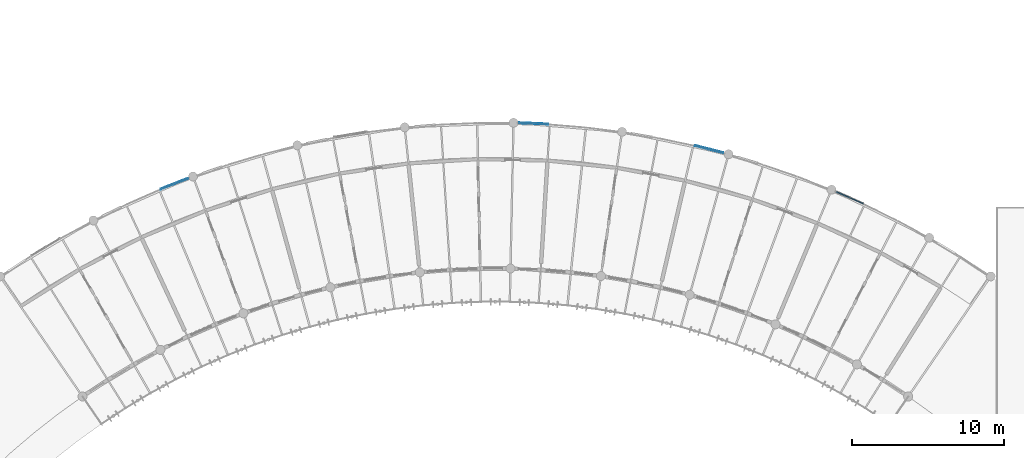
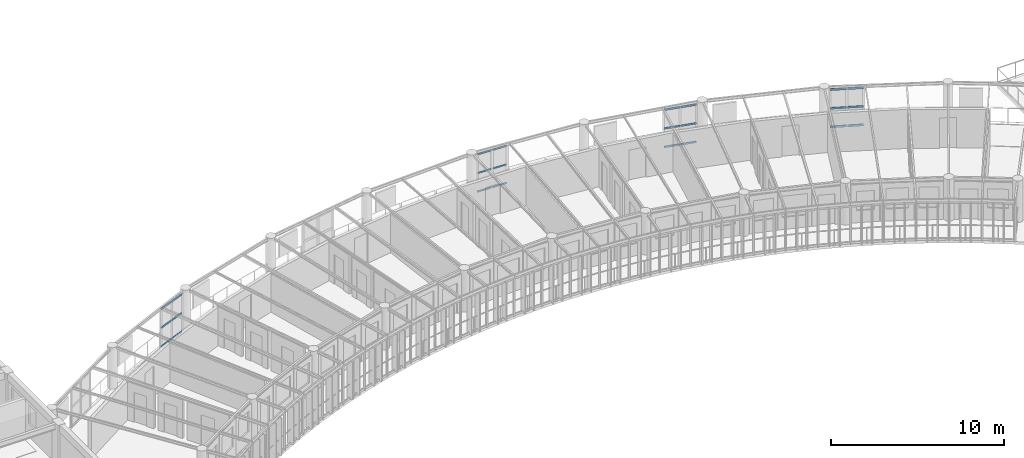
# One storey, part 43 of 101: 24 members, 4 elements without a shape of their own.
"""IFC4 building model written with IfcOpenShell, lengths in metres."""

from ifc_helpers import new_model, si_unit, direction, frame, origin, origin_2d, place, context, subcontext, project, spatial, rectangle, extrude, material, layer, layer_set, material_profile, profile_set, type_object, element, aggregate, save


model = new_model("IFC4")

# Units and contexts
model_context = context("Model", 3, precision=1e-05, world=origin(), true_north=direction((0.0, 1.0)))
body_context = subcontext(model_context, "Body", "Model", "MODEL_VIEW")
ifc_project = project(units=[si_unit("LENGTHUNIT", "METRE"), si_unit("AREAUNIT", "SQUARE_METRE"), si_unit("VOLUMEUNIT", "CUBIC_METRE"), si_unit("PLANEANGLEUNIT", "RADIAN"), si_unit("MASSUNIT", "GRAM", prefix="KILO"), si_unit("POWERUNIT", "WATT"), si_unit("THERMODYNAMICTEMPERATUREUNIT", "KELVIN")], contexts=[model_context])

# Site, building, storey
site_placement = place(None, origin())
site = spatial("IfcSite", under=ifc_project, at=site_placement, CompositionType="ELEMENT")
building_placement = place(site_placement, origin())
building = spatial("IfcBuilding", under=site, at=building_placement, Name="Ruvembo Vaulted Housing Court", CompositionType="ELEMENT")
storey_placement = place(building_placement, frame((0.0, 0.0, 17.300048828125)))
storey = spatial("IfcBuildingStorey", under=building, at=storey_placement, Name="L05", CompositionType="ELEMENT", Elevation=17.300048828125)

# Curtain wall, members
ifc_material_1 = material(Name="Anodised Aluminium and Solar-Control Glass", Category="aluminium")
ifc_layer_1 = layer(ifc_material_1, 0.1201171875, Name="Anodised Aluminium and Solar-Control Glass")
ifc_layer_set_1 = layer_set([ifc_layer_1], Name="Anodised Aluminium and Solar-Control Glass")
curtain_wall_type_1 = type_object("IfcCurtainWallType", Name="CW-SCOOP-GAL", PredefinedType="NOTDEFINED", material=ifc_layer_set_1)
curtain_wall_1_placement = place(storey_placement, origin())
curtain_wall_1 = element("IfcCurtainWall", 1, at=curtain_wall_1_placement, inside=storey, type_object=curtain_wall_type_1, Name="L05 Curtain Wall CW-L05-0084", PredefinedType="NOTDEFINED")
ifc_material_2 = material(Name="Anodised Aluminium 6063-T6", Category="aluminium")
ifc_material_profile_1 = material_profile(ifc_material_2, rectangle(XDim=0.06005859375, YDim=0.1201171875, at=origin_2d()), Name="ALU 60x120")
ifc_profile_set_1 = profile_set([ifc_material_profile_1], Name="Anodised Aluminium 6063-T6")
member_type_1 = type_object("IfcMemberType", Name="CW-TRANSOM-65x120", PredefinedType="USERDEFINED", material=ifc_profile_set_1)
member_1_placement = place(storey_placement, frame((94.97216796875, 103.218994140625, 0.030029296875), z_axis=(0.93100642129, 0.365002799328, 0.0), x_axis=(-0.365002799328, 0.93100642129, 0.0)))
member_1 = element("IfcMember", 2, at=member_1_placement, type_object=member_type_1, Name="CW6 transom 1.1", ObjectType="TRANSOM", PredefinedType="USERDEFINED", context=body_context, shape_type="SweptSolid", body=[
    extrude(rectangle(XDim=0.06005859375, YDim=0.1201171875, at=origin_2d()), origin(), (0.0, 0.0, 1.0), 0.930419921875),
])
member_2_placement = place(storey_placement, frame((94.97216796875, 103.218994140625, 1.344970703125), z_axis=(0.93100642129, 0.365002799328, 0.0), x_axis=(-0.365002799328, 0.93100642129, 0.0)))
member_2 = element("IfcMember", 3, at=member_2_placement, type_object=member_type_1, Name="CW6 transom 1.2", ObjectType="TRANSOM", PredefinedType="USERDEFINED", context=body_context, shape_type="SweptSolid", body=[
    extrude(rectangle(XDim=0.06005859375, YDim=0.1201171875, at=origin_2d()), origin(), (0.0, 0.0, 1.0), 0.930419921875),
])
member_3_placement = place(storey_placement, frame((94.97216796875, 103.218994140625, 2.659912109375), z_axis=(0.93100642129, 0.365002799328, 0.0), x_axis=(-0.365002799328, 0.93100642129, 0.0)))
member_3 = element("IfcMember", 4, at=member_3_placement, type_object=member_type_1, Name="CW6 transom 1.3", ObjectType="TRANSOM", PredefinedType="USERDEFINED", context=body_context, shape_type="SweptSolid", body=[
    extrude(rectangle(XDim=0.06005859375, YDim=0.1201171875, at=origin_2d()), origin(), (0.0, 0.0, 1.0), 0.930419921875),
])
member_4_placement = place(storey_placement, frame((95.89404296875, 103.58056640625, 0.030029296875), z_axis=(0.93100642129, 0.365002799328, 0.0), x_axis=(-0.365002799328, 0.93100642129, 0.0)))
member_4 = element("IfcMember", 5, at=member_4_placement, type_object=member_type_1, Name="CW6 transom 2.1", ObjectType="TRANSOM", PredefinedType="USERDEFINED", context=body_context, shape_type="SweptSolid", body=[
    extrude(rectangle(XDim=0.06005859375, YDim=0.1201171875, at=origin_2d()), origin(), (0.0, 0.0, 1.0), 0.930419921875),
])
member_5_placement = place(storey_placement, frame((95.89404296875, 103.58056640625, 1.344970703125), z_axis=(0.93100642129, 0.365002799328, 0.0), x_axis=(-0.365002799328, 0.93100642129, 0.0)))
member_5 = element("IfcMember", 6, at=member_5_placement, type_object=member_type_1, Name="CW6 transom 2.2", ObjectType="TRANSOM", PredefinedType="USERDEFINED", context=body_context, shape_type="SweptSolid", body=[
    extrude(rectangle(XDim=0.06005859375, YDim=0.1201171875, at=origin_2d()), origin(), (0.0, 0.0, 1.0), 0.930419921875),
])
member_6_placement = place(storey_placement, frame((95.89404296875, 103.58056640625, 2.659912109375), z_axis=(0.93100642129, 0.365002799328, 0.0), x_axis=(-0.365002799328, 0.93100642129, 0.0)))
member_6 = element("IfcMember", 7, at=member_6_placement, type_object=member_type_1, Name="CW6 transom 2.3", ObjectType="TRANSOM", PredefinedType="USERDEFINED", context=body_context, shape_type="SweptSolid", body=[
    extrude(rectangle(XDim=0.06005859375, YDim=0.1201171875, at=origin_2d()), origin(), (0.0, 0.0, 1.0), 0.930419921875),
])
aggregate(curtain_wall_1, [member_1, member_2, member_3, member_4, member_5, member_6])

ifc_layer_2 = layer(ifc_material_1, 0.139892578125, Name="Anodised Aluminium and Solar-Control Glass")
ifc_layer_set_2 = layer_set([ifc_layer_2], Name="Anodised Aluminium and Solar-Control Glass")
curtain_wall_type_2 = type_object("IfcCurtainWallType", Name="CW-SCOOP-PAN", PredefinedType="NOTDEFINED", material=ifc_layer_set_2)
curtain_wall_2_placement = place(storey_placement, origin())
curtain_wall_2 = element("IfcCurtainWall", 8, at=curtain_wall_2_placement, inside=storey, type_object=curtain_wall_type_2, Name="L05 Curtain Wall CW-L05-0087", PredefinedType="NOTDEFINED")
member_7_placement = place(storey_placement, frame((130.138427734375, 106.079345703125, 0.030029296875), z_axis=(0.969139023135, -0.246514814641, 0.0), x_axis=(0.246514814641, 0.969139023135, 0.0)))
member_7 = element("IfcMember", 9, at=member_7_placement, type_object=member_type_1, Name="CW10 transom 1.1", ObjectType="TRANSOM", PredefinedType="USERDEFINED", context=body_context, shape_type="SweptSolid", body=[
    extrude(rectangle(XDim=0.06005859375, YDim=0.1201171875, at=origin_2d()), origin(), (0.0, 0.0, 1.0), 0.93798828125),
])
member_8_placement = place(storey_placement, frame((130.138427734375, 106.079345703125, 1.344970703125), z_axis=(0.969139023135, -0.246514814641, 0.0), x_axis=(0.246514814641, 0.969139023135, 0.0)))
member_8 = element("IfcMember", 10, at=member_8_placement, type_object=member_type_1, Name="CW10 transom 1.2", ObjectType="TRANSOM", PredefinedType="USERDEFINED", context=body_context, shape_type="SweptSolid", body=[
    extrude(rectangle(XDim=0.06005859375, YDim=0.1201171875, at=origin_2d()), origin(), (0.0, 0.0, 1.0), 0.93798828125),
])
member_9_placement = place(storey_placement, frame((130.138427734375, 106.079345703125, 2.659912109375), z_axis=(0.969139023135, -0.246514814641, 0.0), x_axis=(0.246514814641, 0.969139023135, 0.0)))
member_9 = element("IfcMember", 11, at=member_9_placement, type_object=member_type_1, Name="CW10 transom 1.3", ObjectType="TRANSOM", PredefinedType="USERDEFINED", context=body_context, shape_type="SweptSolid", body=[
    extrude(rectangle(XDim=0.06005859375, YDim=0.1201171875, at=origin_2d()), origin(), (0.0, 0.0, 1.0), 0.93798828125),
])
member_10_placement = place(storey_placement, frame((131.1005859375, 105.834716796875, 0.030029296875), z_axis=(0.969154836153, -0.246452639591, 0.0), x_axis=(0.246452639591, 0.969154836153, 0.0)))
member_10 = element("IfcMember", 12, at=member_10_placement, type_object=member_type_1, Name="CW10 transom 2.1", ObjectType="TRANSOM", PredefinedType="USERDEFINED", context=body_context, shape_type="SweptSolid", body=[
    extrude(rectangle(XDim=0.06005859375, YDim=0.1201171875, at=origin_2d()), origin(), (0.0, 0.0, 1.0), 0.938232421875),
])
member_11_placement = place(storey_placement, frame((131.1005859375, 105.834716796875, 1.344970703125), z_axis=(0.969154836153, -0.246452639591, 0.0), x_axis=(0.246452639591, 0.969154836153, 0.0)))
member_11 = element("IfcMember", 13, at=member_11_placement, type_object=member_type_1, Name="CW10 transom 2.2", ObjectType="TRANSOM", PredefinedType="USERDEFINED", context=body_context, shape_type="SweptSolid", body=[
    extrude(rectangle(XDim=0.06005859375, YDim=0.1201171875, at=origin_2d()), origin(), (0.0, 0.0, 1.0), 0.938232421875),
])
member_12_placement = place(storey_placement, frame((131.1005859375, 105.834716796875, 2.659912109375), z_axis=(0.969154836153, -0.246452639591, 0.0), x_axis=(0.246452639591, 0.969154836153, 0.0)))
member_12 = element("IfcMember", 14, at=member_12_placement, type_object=member_type_1, Name="CW10 transom 2.3", ObjectType="TRANSOM", PredefinedType="USERDEFINED", context=body_context, shape_type="SweptSolid", body=[
    extrude(rectangle(XDim=0.06005859375, YDim=0.1201171875, at=origin_2d()), origin(), (0.0, 0.0, 1.0), 0.938232421875),
])
aggregate(curtain_wall_2, [member_7, member_8, member_9, member_10, member_11, member_12])

curtain_wall_3_placement = place(storey_placement, origin())
curtain_wall_3 = element("IfcCurtainWall", 15, at=curtain_wall_3_placement, inside=storey, type_object=curtain_wall_type_1, Name="L05 Curtain Wall CW-L05-0086", PredefinedType="NOTDEFINED")
ifc_material_profile_2 = material_profile(ifc_material_2, rectangle(XDim=0.06005859375, YDim=0.10009765625, at=origin_2d()), Name="ALU 60x100")
ifc_profile_set_2 = profile_set([ifc_material_profile_2], Name="Anodised Aluminium 6063-T6")
member_type_2 = type_object("IfcMemberType", Name="CW-TRN-60x100", PredefinedType="USERDEFINED", material=ifc_profile_set_2)
member_13_placement = place(storey_placement, frame((118.56005859375, 107.572509765625, 0.030029296875), z_axis=(0.999137194333, -0.041531516947, 0.0), x_axis=(0.041531516947, 0.999137194333, 0.0)))
member_13 = element("IfcMember", 16, at=member_13_placement, type_object=member_type_2, Name="CW6 transom 1.1", ObjectType="TRANSOM", PredefinedType="USERDEFINED", context=body_context, shape_type="SweptSolid", body=[
    extrude(rectangle(XDim=0.06005859375, YDim=0.10009765625, at=origin_2d()), origin(), (0.0, 0.0, 1.0), 0.9228515625),
])
member_14_placement = place(storey_placement, frame((118.56005859375, 107.572509765625, 1.344970703125), z_axis=(0.999137194333, -0.041531516947, 0.0), x_axis=(0.041531516947, 0.999137194333, 0.0)))
member_14 = element("IfcMember", 17, at=member_14_placement, type_object=member_type_2, Name="CW6 transom 1.2", ObjectType="TRANSOM", PredefinedType="USERDEFINED", context=body_context, shape_type="SweptSolid", body=[
    extrude(rectangle(XDim=0.06005859375, YDim=0.10009765625, at=origin_2d()), origin(), (0.0, 0.0, 1.0), 0.9228515625),
])
member_15_placement = place(storey_placement, frame((118.56005859375, 107.572509765625, 2.659912109375), z_axis=(0.999137194333, -0.041531516947, 0.0), x_axis=(0.041531516947, 0.999137194333, 0.0)))
member_15 = element("IfcMember", 18, at=member_15_placement, type_object=member_type_2, Name="CW6 transom 1.3", ObjectType="TRANSOM", PredefinedType="USERDEFINED", context=body_context, shape_type="SweptSolid", body=[
    extrude(rectangle(XDim=0.06005859375, YDim=0.10009765625, at=origin_2d()), origin(), (0.0, 0.0, 1.0), 0.9228515625),
])
member_16_placement = place(storey_placement, frame((119.547119140625, 107.531494140625, 0.030029296875), z_axis=(0.999137194333, -0.041531516947, 0.0), x_axis=(0.041531516947, 0.999137194333, 0.0)))
member_16 = element("IfcMember", 19, at=member_16_placement, type_object=member_type_2, Name="CW6 transom 2.1", ObjectType="TRANSOM", PredefinedType="USERDEFINED", context=body_context, shape_type="SweptSolid", body=[
    extrude(rectangle(XDim=0.06005859375, YDim=0.10009765625, at=origin_2d()), origin(), (0.0, 0.0, 1.0), 0.9228515625),
])
member_17_placement = place(storey_placement, frame((119.547119140625, 107.531494140625, 1.344970703125), z_axis=(0.999137194333, -0.041531516947, 0.0), x_axis=(0.041531516947, 0.999137194333, 0.0)))
member_17 = element("IfcMember", 20, at=member_17_placement, type_object=member_type_2, Name="CW6 transom 2.2", ObjectType="TRANSOM", PredefinedType="USERDEFINED", context=body_context, shape_type="SweptSolid", body=[
    extrude(rectangle(XDim=0.06005859375, YDim=0.10009765625, at=origin_2d()), origin(), (0.0, 0.0, 1.0), 0.9228515625),
])
member_18_placement = place(storey_placement, frame((119.547119140625, 107.531494140625, 2.659912109375), z_axis=(0.999137194333, -0.041531516947, 0.0), x_axis=(0.041531516947, 0.999137194333, 0.0)))
member_18 = element("IfcMember", 21, at=member_18_placement, type_object=member_type_2, Name="CW6 transom 2.3", ObjectType="TRANSOM", PredefinedType="USERDEFINED", context=body_context, shape_type="SweptSolid", body=[
    extrude(rectangle(XDim=0.06005859375, YDim=0.10009765625, at=origin_2d()), origin(), (0.0, 0.0, 1.0), 0.9228515625),
])
aggregate(curtain_wall_3, [member_13, member_14, member_15, member_16, member_17, member_18])

curtain_wall_4_placement = place(storey_placement, origin())
curtain_wall_4 = element("IfcCurtainWall", 22, at=curtain_wall_4_placement, inside=storey, type_object=curtain_wall_type_2, Name="L05 Curtain Wall CW-L05-0088", PredefinedType="NOTDEFINED")
ifc_material_profile_3 = material_profile(ifc_material_2, rectangle(XDim=0.06494140625, YDim=0.135009765625, at=origin_2d()), Name="ALU 65x135")
ifc_profile_set_3 = profile_set([ifc_material_profile_3], Name="Anodised Aluminium 6063-T6")
member_type_3 = type_object("IfcMemberType", Name="CW-TRN-65x135", PredefinedType="USERDEFINED", material=ifc_profile_set_3)
member_19_placement = place(storey_placement, frame((139.459716796875, 103.03369140625, 0.032470703125), z_axis=(0.915191183888, -0.403019970887, 0.0), x_axis=(0.403019970887, 0.915191183888, 0.0)))
member_19 = element("IfcMember", 23, at=member_19_placement, type_object=member_type_3, Name="CW10 transom 1.1", ObjectType="TRANSOM", PredefinedType="USERDEFINED", context=body_context, shape_type="SweptSolid", body=[
    extrude(rectangle(XDim=0.06494140625, YDim=0.135009765625, at=origin_2d()), origin(), (0.0, 0.0, 1.0), 0.930419921875),
])
member_20_placement = place(storey_placement, frame((139.459716796875, 103.03369140625, 1.344970703125), z_axis=(0.915191183888, -0.403019970887, 0.0), x_axis=(0.403019970887, 0.915191183888, 0.0)))
member_20 = element("IfcMember", 24, at=member_20_placement, type_object=member_type_3, Name="CW10 transom 1.2", ObjectType="TRANSOM", PredefinedType="USERDEFINED", context=body_context, shape_type="SweptSolid", body=[
    extrude(rectangle(XDim=0.06494140625, YDim=0.135009765625, at=origin_2d()), origin(), (0.0, 0.0, 1.0), 0.930419921875),
])
member_21_placement = place(storey_placement, frame((139.459716796875, 103.03369140625, 2.657470703125), z_axis=(0.915191183888, -0.403019970887, 0.0), x_axis=(0.403019970887, 0.915191183888, 0.0)))
member_21 = element("IfcMember", 25, at=member_21_placement, type_object=member_type_3, Name="CW10 transom 1.3", ObjectType="TRANSOM", PredefinedType="USERDEFINED", context=body_context, shape_type="SweptSolid", body=[
    extrude(rectangle(XDim=0.06494140625, YDim=0.135009765625, at=origin_2d()), origin(), (0.0, 0.0, 1.0), 0.930419921875),
])
member_22_placement = place(storey_placement, frame((140.3662109375, 102.634521484375, 0.032470703125), z_axis=(0.915051715499, -0.403336531896, 0.0), x_axis=(0.403336531896, 0.915051715499, 0.0)))
member_22 = element("IfcMember", 26, at=member_22_placement, type_object=member_type_3, Name="CW10 transom 2.1", ObjectType="TRANSOM", PredefinedType="USERDEFINED", context=body_context, shape_type="SweptSolid", body=[
    extrude(rectangle(XDim=0.06494140625, YDim=0.135009765625, at=origin_2d()), origin(), (0.0, 0.0, 1.0), 0.930419921875),
])
member_23_placement = place(storey_placement, frame((140.3662109375, 102.634521484375, 1.344970703125), z_axis=(0.915051715499, -0.403336531896, 0.0), x_axis=(0.403336531896, 0.915051715499, 0.0)))
member_23 = element("IfcMember", 27, at=member_23_placement, type_object=member_type_3, Name="CW10 transom 2.2", ObjectType="TRANSOM", PredefinedType="USERDEFINED", context=body_context, shape_type="SweptSolid", body=[
    extrude(rectangle(XDim=0.06494140625, YDim=0.135009765625, at=origin_2d()), origin(), (0.0, 0.0, 1.0), 0.930419921875),
])
member_24_placement = place(storey_placement, frame((140.3662109375, 102.634521484375, 2.657470703125), z_axis=(0.915051715499, -0.403336531896, 0.0), x_axis=(0.403336531896, 0.915051715499, 0.0)))
member_24 = element("IfcMember", 28, at=member_24_placement, type_object=member_type_3, Name="CW10 transom 2.3", ObjectType="TRANSOM", PredefinedType="USERDEFINED", context=body_context, shape_type="SweptSolid", body=[
    extrude(rectangle(XDim=0.06494140625, YDim=0.135009765625, at=origin_2d()), origin(), (0.0, 0.0, 1.0), 0.930419921875),
])
aggregate(curtain_wall_4, [member_19, member_20, member_21, member_22, member_23, member_24])

save(model, "model.ifc")
